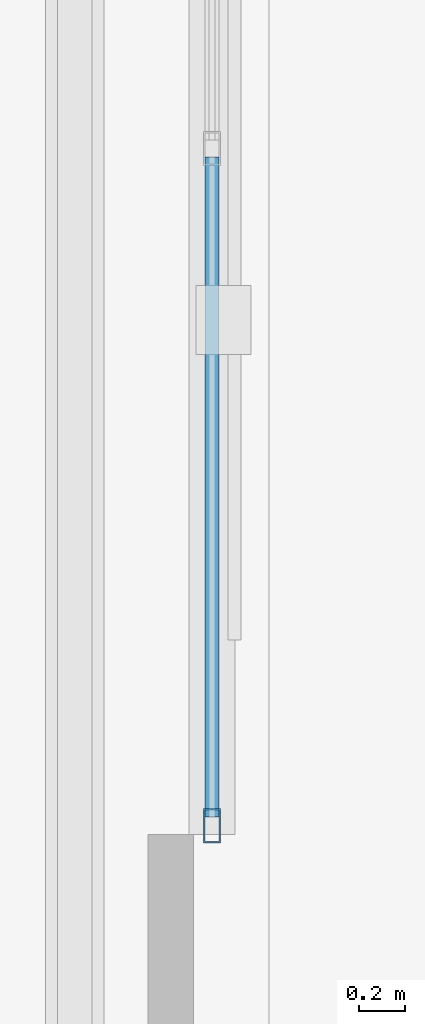
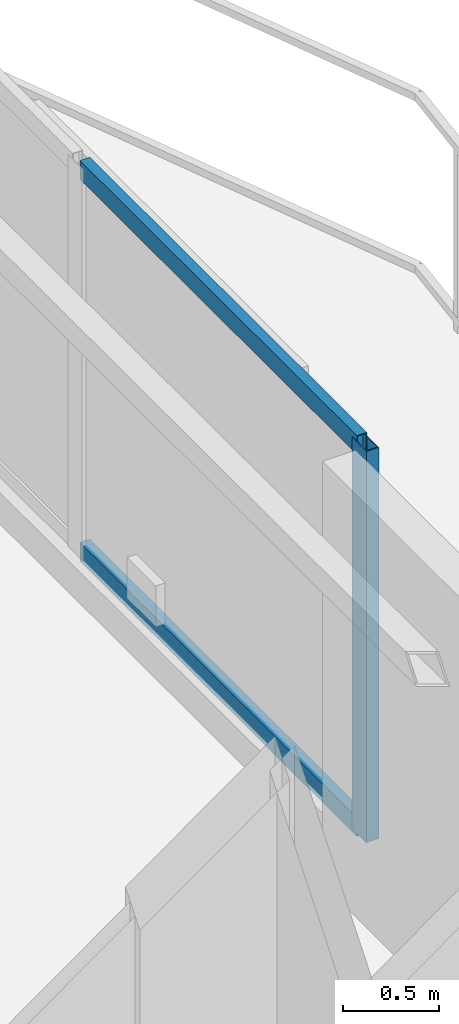
# One storey, part 6 of 22: 3 members, 1 element without a shape of its own.
"""IFC4 building model written with IfcOpenShell, lengths in metres."""

from ifc_helpers import new_model, si_unit, direction, frame, origin, origin_2d, place, context, subcontext, project, spatial, hollow_rectangle, extrude, material, layer, layer_set, material_profile, profile_set, type_object, element, aggregate, save


model = new_model("IFC4")

# Units and contexts
model_context = context("Model", 3, precision=1e-05, world=origin(), true_north=direction((0.0, 1.0)))
body_context = subcontext(model_context, "Body", "Model", "MODEL_VIEW")
ifc_project = project(units=[si_unit("LENGTHUNIT", "METRE"), si_unit("AREAUNIT", "SQUARE_METRE"), si_unit("VOLUMEUNIT", "CUBIC_METRE"), si_unit("PLANEANGLEUNIT", "RADIAN"), si_unit("MASSUNIT", "GRAM", prefix="KILO")], contexts=[model_context])

# Site, building, storey
site_placement = place(None, origin())
site = spatial("IfcSite", under=ifc_project, at=site_placement, CompositionType="ELEMENT")
building_placement = place(site_placement, origin())
building = spatial("IfcBuilding", under=site, at=building_placement, Name="Mersakhor Tower and Convention Hall", CompositionType="ELEMENT")
storey_placement = place(building_placement, frame((0.0, 0.0, 198.60009765625)))
storey = spatial("IfcBuildingStorey", under=building, at=storey_placement, Name="L55", CompositionType="ELEMENT", Elevation=198.60009765625)

# Curtain wall, members
ifc_material_1 = material(Name="Dark solar low-E aluminium curtain wall", Category="aluminium")
ifc_layer = layer(ifc_material_1, 0.169921875)
ifc_layer_set = layer_set([ifc_layer], Name="Dark solar low-E aluminium curtain wall")
curtain_wall_type = type_object("IfcCurtainWallType", Name="CW-SYS-02", PredefinedType="USERDEFINED", material=ifc_layer_set)
curtain_wall_placement = place(storey_placement, origin())
curtain_wall = element("IfcCurtainWall", 1, at=curtain_wall_placement, inside=storey, type_object=curtain_wall_type, Name="L55 Dark-Glass Curtain Wall F2-B2", ObjectType="CURTAIN WALL", PredefinedType="USERDEFINED")
ifc_material_2 = material(Name="Anodised aluminium EN AW-6063 T6", Category="aluminium")
ifc_material_profile_1 = material_profile(ifc_material_2, hollow_rectangle(XDim=0.074951171875, YDim=0.14990234375, WallThickness=0.00634765625, at=origin_2d()), Name="RHS 150x75x6.3")
ifc_profile_set_1 = profile_set([ifc_material_profile_1], Name="Anodised aluminium EN AW-6063 T6")
member_type_1 = type_object("IfcMemberType", Name="CWM-150x75", PredefinedType="MULLION", material=ifc_profile_set_1)
member_1_placement = place(storey_placement, frame((40.58837890625, 22.2880859375, 0.199951171875), z_axis=(0.0, 0.0, 1.0), x_axis=(1.0, 0.0, 0.0)))
member_1 = element("IfcMember", 2, at=member_1_placement, type_object=member_type_1, Name="CW-02 mullion 4", PredefinedType="MULLION", context=body_context, shape_type="SweptSolid", body=[
    extrude(hollow_rectangle(XDim=0.074951171875, YDim=0.14990234375, WallThickness=0.00634765625, at=origin_2d()), origin(), (0.0, 0.0, 1.0), 2.489990234375),
])
ifc_material_3 = material(Name="Anodised aluminium EN AW-6063 T6", Category="aluminium")
ifc_material_profile_2 = material_profile(ifc_material_3, hollow_rectangle(XDim=0.06005859375, YDim=0.1201171875, WallThickness=0.0048828125, at=origin_2d()), Name="RHS 120x60x5")
ifc_profile_set_2 = profile_set([ifc_material_profile_2], Name="Anodised aluminium EN AW-6063 T6")
member_type_2 = type_object("IfcMemberType", Name="CWT-120x60", PredefinedType="USERDEFINED", material=ifc_profile_set_2)
member_2_placement = place(storey_placement, frame((40.58837890625, 25.212646484375, 0.22998046875), z_axis=(0.0, -1.0, 0.0), x_axis=(1.0, 0.0, 0.0)))
member_2 = element("IfcMember", 3, at=member_2_placement, type_object=member_type_2, Name="CW-02 transom 3.1", ObjectType="TRANSOM", PredefinedType="USERDEFINED", context=body_context, shape_type="SweptSolid", body=[
    extrude(hollow_rectangle(XDim=0.06005859375, YDim=0.1201171875, WallThickness=0.0048828125, at=origin_2d()), origin(), (0.0, 0.0, 1.0), 2.88720703125),
])
member_3_placement = place(storey_placement, frame((40.58837890625, 25.212646484375, 2.659912109375), z_axis=(0.0, -1.0, 0.0), x_axis=(1.0, 0.0, 0.0)))
member_3 = element("IfcMember", 4, at=member_3_placement, type_object=member_type_2, Name="CW-02 transom 3.2", ObjectType="TRANSOM", PredefinedType="USERDEFINED", context=body_context, shape_type="SweptSolid", body=[
    extrude(hollow_rectangle(XDim=0.06005859375, YDim=0.1201171875, WallThickness=0.0048828125, at=origin_2d()), origin(), (0.0, 0.0, 1.0), 2.88720703125),
])
aggregate(curtain_wall, [member_1, member_2, member_3])

save(model, "model.ifc")
